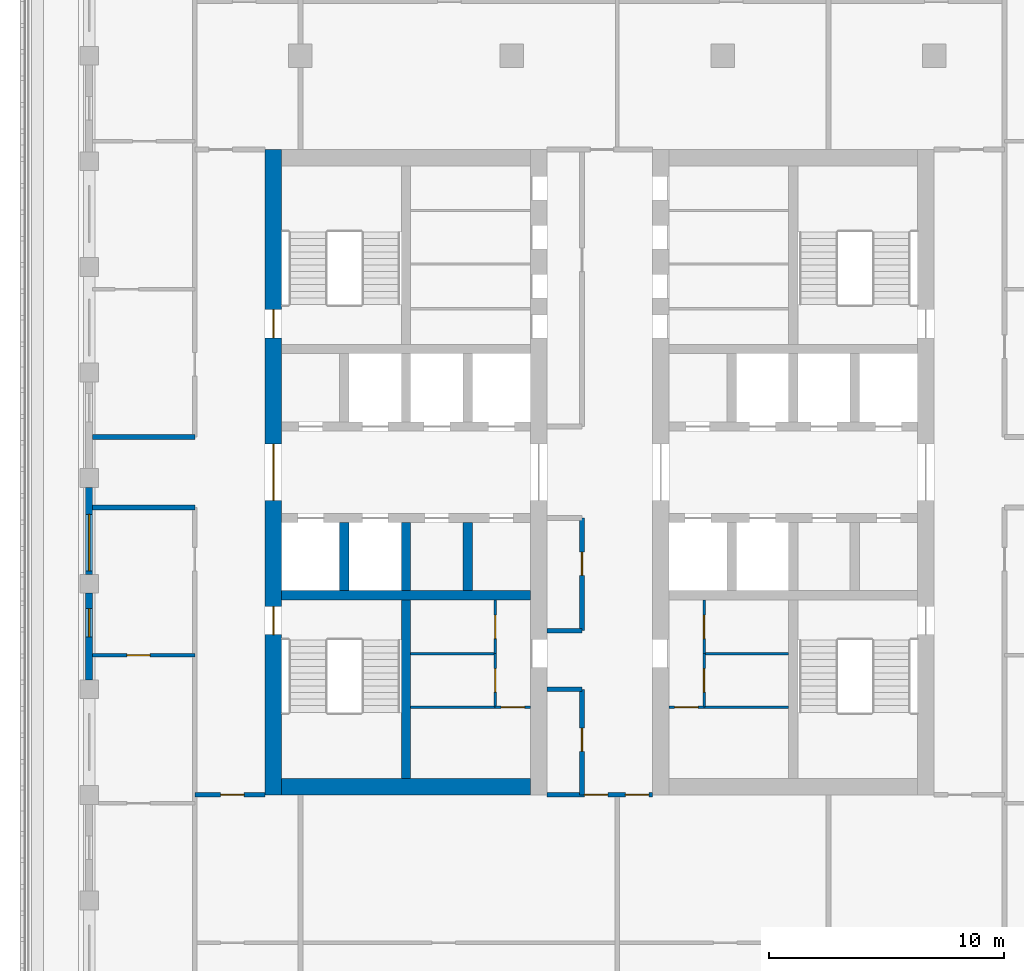
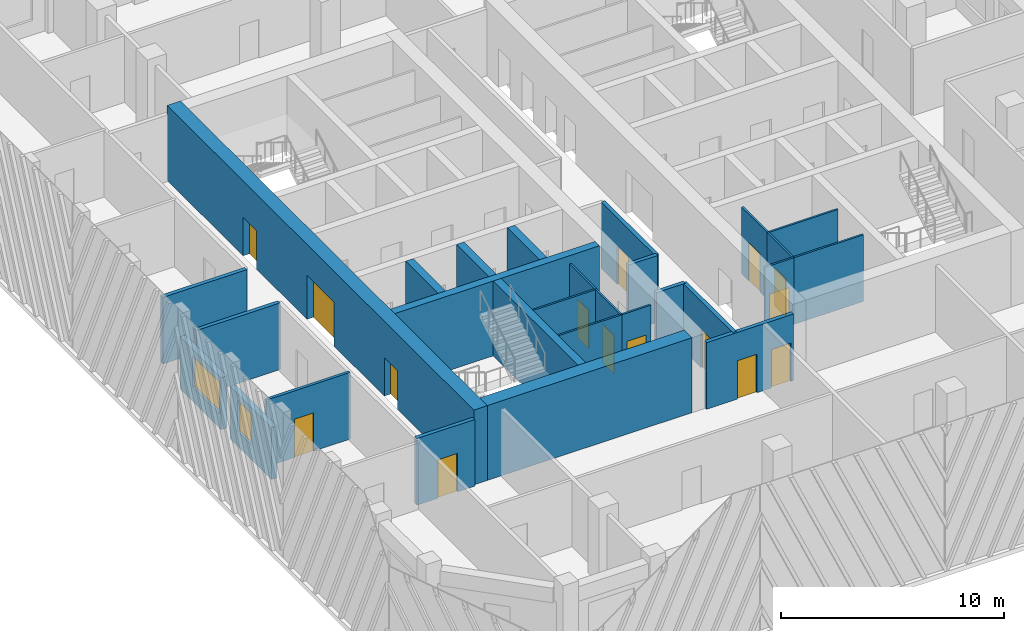
# One storey, part 3 of 17: 28 walls, 15 doors, 2 windows, 17 openings.
"""IFC4 building model written with IfcOpenShell, lengths in metres."""

from ifc_helpers import new_model, si_unit, direction, frame, frame_2d, origin, place, context, subcontext, project, spatial, rectangle, extrude, material, layer, layer_set, type_object, element, fill, save


model = new_model("IFC4")

# Units and contexts
model_context = context("Model", 3, precision=1e-05, world=origin(), true_north=direction((0.0, 1.0)))
body_context = subcontext(model_context, "Body", "Model", "MODEL_VIEW")
ifc_project = project(units=[si_unit("LENGTHUNIT", "METRE"), si_unit("AREAUNIT", "SQUARE_METRE"), si_unit("VOLUMEUNIT", "CUBIC_METRE"), si_unit("PLANEANGLEUNIT", "RADIAN"), si_unit("MASSUNIT", "GRAM", prefix="KILO")], contexts=[model_context])

# Site, building, storey
site_placement = place(None, origin())
site = spatial("IfcSite", under=ifc_project, at=site_placement, CompositionType="ELEMENT")
building_placement = place(site_placement, origin())
building = spatial("IfcBuilding", under=site, at=building_placement, Name="Corbel Stack Research Tower", CompositionType="ELEMENT")
storey_placement = place(building_placement, frame((0.0, 0.0, 239.800048828125)))
storey = spatial("IfcBuildingStorey", under=building, at=storey_placement, Name="L54", CompositionType="ELEMENT", Elevation=239.800048828125)

# Walls
ifc_material_1 = material(Name="Concrete C60/75", Category="concrete")
ifc_layer_1 = layer(ifc_material_1, 0.39990234375)
ifc_layer_set_1 = layer_set([ifc_layer_1], Name="Concrete C60/75")
wall_type_1 = type_object("IfcWallType", Name="CW-400-60", PredefinedType="SHEAR", material=ifc_layer_set_1)
wall_1_placement = place(storey_placement, frame((-9.800048828125, -0.5, 0.0), z_axis=(0.0, 0.0, 1.0), x_axis=(1.0, 0.0, 0.0)))
element("IfcWall", 1, at=wall_1_placement, inside=storey, type_object=wall_type_1, Name="West core wall, south row back L54", PredefinedType="SHEAR", context=body_context, shape_type="SweptSolid", body=[
    extrude(rectangle(XDim=10.60009765625, YDim=0.39990234375, at=frame_2d((5.300048828125, 0.0))), origin(), (0.0, 0.0, 1.0), 4.099853515625),
])
for number, where, z_axis, x_axis, name in (
    (2, (-7.125, -0.300048828125, 0.0), (0.0, 0.0, 1.0), (0.0, 1.0, 0.0), "West core wall, south shaft 1 L54"),
    (3, (-4.5, -0.300048828125, 0.0), (0.0, 0.0, 1.0), (0.0, 1.0, 0.0), "West core wall, south shaft 2 L54"),
    (4, (-1.875, -0.300048828125, 0.0), (0.0, 0.0, 1.0), (0.0, 1.0, 0.0), "West core wall, south shaft 3 L54"),
):
    element("IfcWall", number, at=place(storey_placement, frame(where, z_axis=z_axis, x_axis=x_axis)), inside=storey, type_object=wall_type_1, Name=name, PredefinedType="SHEAR", context=body_context, shape_type="SweptSolid", body=[
        extrude(rectangle(XDim=2.900146484375, YDim=0.39990234375, at=frame_2d((1.4501953125, 0.0))), origin(), (0.0, 0.0, 1.0), 4.099853515625),
    ])
wall_2_placement = place(storey_placement, frame((-4.5, -8.300048828125, 0.0), z_axis=(0.0, 0.0, 1.0), x_axis=(0.0, 1.0, 0.0)))
element("IfcWall", 5, at=wall_2_placement, inside=storey, type_object=wall_type_1, Name="West core wall, south stair and WC L54", PredefinedType="SHEAR", context=body_context, shape_type="SweptSolid", body=[
    extrude(rectangle(XDim=7.60009765625, YDim=0.39990234375, at=frame_2d((3.800048828125, 0.0))), origin(), (0.0, 0.0, 1.0), 4.099853515625),
])

# Wall, openings, doors
ifc_material_2 = material(Name="Concrete C60/75", Category="concrete")
ifc_layer_2 = layer(ifc_material_2, 0.699951171875)
ifc_layer_set_2 = layer_set([ifc_layer_2], Name="Concrete C60/75")
wall_type_2 = type_object("IfcWallType", Name="CW-700-60", PredefinedType="SHEAR", material=ifc_layer_set_2)
wall_3_placement = place(storey_placement, frame((-10.14990234375, -9.0, 0.0), z_axis=(0.0, 0.0, 1.0), x_axis=(0.0, 1.0, 0.0)))
wall_3 = element("IfcWall", 6, at=wall_3_placement, inside=storey, type_object=wall_type_2, Name="West core wall, west face L54", PredefinedType="SHEAR", context=body_context, shape_type="SweptSolid", body=[
    extrude(rectangle(XDim=27.5, YDim=0.699951171875, at=frame_2d((13.75, 0.0))), origin(), (0.0, 0.0, 1.0), 4.099853515625),
])
opening_1_placement = place(wall_3_placement, frame((12.550048828125, 0.0, 0.0)))
opening_1 = element("IfcOpeningElement", 7, at=opening_1_placement, cuts=wall_3, Name="Opening CD-W-W", PredefinedType="OPENING", context=body_context, shape_type="SweptSolid", body=[
    extrude(rectangle(XDim=2.39990234375, YDim=2.39990234375, at=frame_2d((1.199951171875, 1.199951171875))), frame((0.0, 0.35986328125, 0.0), z_axis=(0.0, -1.0, 0.0), x_axis=(1.0, 0.0, 0.0)), (0.0, 0.0, 1.0), 0.719970703125),
])
opening_2_placement = place(wall_3_placement, frame((6.824951171875, 0.0, 0.0)))
opening_2 = element("IfcOpeningElement", 8, at=opening_2_placement, cuts=wall_3, Name="Opening SD-ST-W1", PredefinedType="OPENING", context=body_context, shape_type="SweptSolid", body=[
    extrude(rectangle(XDim=1.199951171875, YDim=2.10009765625, at=frame_2d((0.60009765625, 1.050048828125))), frame((0.0, 0.35986328125, 0.0), z_axis=(0.0, -1.0, 0.0), x_axis=(1.0, 0.0, 0.0)), (0.0, 0.0, 1.0), 0.719970703125),
])
opening_3_placement = place(wall_3_placement, frame((19.47509765625, 0.0, 0.0)))
opening_3 = element("IfcOpeningElement", 9, at=opening_3_placement, cuts=wall_3, Name="Opening SD-ST-W2", PredefinedType="OPENING", context=body_context, shape_type="SweptSolid", body=[
    extrude(rectangle(XDim=1.199951171875, YDim=2.10009765625, at=frame_2d((0.60009765625, 1.050048828125))), frame((0.0, 0.35986328125, 0.0), z_axis=(0.0, -1.0, 0.0), x_axis=(1.0, 0.0, 0.0)), (0.0, 0.0, 1.0), 0.719970703125),
])
ifc_material_3 = material(Name="Painted steel fire door", Category="steel")
door_type_1 = type_object("IfcDoorType", Name="Lobby door pair 2400 x 2400 FD30S", OperationType="DOUBLE_DOOR_DOUBLE_SWING", PredefinedType="DOOR", material=ifc_material_3)
door_1_placement = place(opening_1_placement, origin())
door_1 = element("IfcDoor", 10, at=door_1_placement, inside=storey, type_object=door_type_1, Name="Lift lobby door W core W", OperationType="DOUBLE_DOOR_DOUBLE_SWING", OverallHeight=2.39990234375, OverallWidth=2.39990234375, PredefinedType="DOOR", context=body_context, shape_type="SweptSolid", body=[
    extrude(rectangle(XDim=2.39990234375, YDim=2.39990234375, at=frame_2d((1.199951171875, 1.199951171875))), frame((0.0, 0.02490234375, 0.0), z_axis=(0.0, -1.0, 0.0), x_axis=(1.0, 0.0, 0.0)), (0.0, 0.0, 1.0), 0.050048828125),
])
fill(opening_1, door_1)
ifc_material_4 = material(Name="Painted steel fire door", Category="steel")
door_type_2 = type_object("IfcDoorType", Name="Stair door 1200 x 2100 FD90 left hand", OperationType="SINGLE_SWING_LEFT", PredefinedType="DOOR", material=ifc_material_4)
door_2_placement = place(opening_2_placement, origin())
door_2 = element("IfcDoor", 11, at=door_2_placement, inside=storey, type_object=door_type_2, Name="Stair door ST-W1", OperationType="SINGLE_SWING_LEFT", OverallHeight=2.10009765625, OverallWidth=1.199951171875, PredefinedType="DOOR", context=body_context, shape_type="SweptSolid", body=[
    extrude(rectangle(XDim=1.199951171875, YDim=2.10009765625, at=frame_2d((0.60009765625, 1.050048828125))), frame((0.0, 0.02490234375, 0.0), z_axis=(0.0, -1.0, 0.0), x_axis=(1.0, 0.0, 0.0)), (0.0, 0.0, 1.0), 0.050048828125),
])
fill(opening_2, door_2)
door_3_placement = place(opening_3_placement, origin())
door_3 = element("IfcDoor", 12, at=door_3_placement, inside=storey, type_object=door_type_2, Name="Stair door ST-W2", OperationType="SINGLE_SWING_LEFT", OverallHeight=2.10009765625, OverallWidth=1.199951171875, PredefinedType="DOOR", context=body_context, shape_type="SweptSolid", body=[
    extrude(rectangle(XDim=1.199951171875, YDim=2.10009765625, at=frame_2d((0.60009765625, 1.050048828125))), frame((0.0, 0.02490234375, 0.0), z_axis=(0.0, -1.0, 0.0), x_axis=(1.0, 0.0, 0.0)), (0.0, 0.0, 1.0), 0.050048828125),
])
fill(opening_3, door_3)

# Wall
wall_4_placement = place(storey_placement, frame((-9.800048828125, -8.64990234375, 0.0), z_axis=(0.0, 0.0, 1.0), x_axis=(1.0, 0.0, 0.0)))
element("IfcWall", 13, at=wall_4_placement, inside=storey, type_object=wall_type_2, Name="West core wall, south end L54", PredefinedType="SHEAR", context=body_context, shape_type="SweptSolid", body=[
    extrude(rectangle(XDim=10.60009765625, YDim=0.699951171875, at=frame_2d((5.300048828125, 0.0))), origin(), (0.0, 0.0, 1.0), 4.099853515625),
])

# Wall, opening, door
ifc_material_5 = material(Name="Gypsum board")
ifc_layer_3 = layer(ifc_material_5, 0.10009765625)
ifc_layer_set_3 = layer_set([ifc_layer_3], Name="Gypsum board")
wall_type_3 = type_object("IfcWallType", Name="Core partition 100", PredefinedType="PARTITIONING", material=ifc_layer_set_3)
wall_5_placement = place(storey_placement, frame((-0.699951171875, -5.260009765625, 0.0), z_axis=(0.0, 0.0, 1.0), x_axis=(1.0, 0.0, 0.0)))
wall_5 = element("IfcWall", 14, at=wall_5_placement, inside=storey, type_object=wall_type_3, Name="Core partition W", PredefinedType="PARTITIONING", context=body_context, shape_type="SweptSolid", body=[
    extrude(rectangle(XDim=1.5, YDim=0.10009765625, at=frame_2d((0.75, 0.0))), origin(), (0.0, 0.0, 1.0), 3.64990234375),
])
opening_4_placement = place(wall_5_placement, frame((0.25, 0.0, 0.0)))
opening_4 = element("IfcOpeningElement", 15, at=opening_4_placement, cuts=wall_5, Name="Opening CR-W66-W2-1000", PredefinedType="OPENING", context=body_context, shape_type="SweptSolid", body=[
    extrude(rectangle(XDim=1.0, YDim=2.10009765625, at=frame_2d((0.5, 1.050048828125))), frame((0.0, 0.06005859375, 0.0), z_axis=(0.0, -1.0, 0.0), x_axis=(1.0, 0.0, 0.0)), (0.0, 0.0, 1.0), 0.1201171875),
])
ifc_material_6 = material(Name="Painted timber door", Category="wood")
door_type_3 = type_object("IfcDoorType", Name="WC door 1000 x 2100 right hand", OperationType="SINGLE_SWING_RIGHT", PredefinedType="DOOR", material=ifc_material_6)
door_4_placement = place(opening_4_placement, origin())
door_4 = element("IfcDoor", 16, at=door_4_placement, inside=storey, type_object=door_type_3, Name="Accessible WC door W core", OperationType="SINGLE_SWING_RIGHT", OverallHeight=2.10009765625, OverallWidth=1.0, PredefinedType="DOOR", context=body_context, shape_type="SweptSolid", body=[
    extrude(rectangle(XDim=1.0, YDim=2.10009765625, at=frame_2d((0.5, 1.050048828125))), frame((0.0, 0.02490234375, 0.0), z_axis=(0.0, -1.0, 0.0), x_axis=(1.0, 0.0, 0.0)), (0.0, 0.0, 1.0), 0.050048828125),
])
fill(opening_4, door_4)

wall_6_placement = place(storey_placement, frame((-0.699951171875, -5.260009765625, 0.0), z_axis=(0.0, 0.0, 1.0), x_axis=(0.0, 1.0, 0.0)))
wall_6 = element("IfcWall", 17, at=wall_6_placement, inside=storey, type_object=wall_type_3, Name="Core partition W", PredefinedType="PARTITIONING", context=body_context, shape_type="SweptSolid", body=[
    extrude(rectangle(XDim=2.280029296875, YDim=0.10009765625, at=frame_2d((1.14013671875, 0.0))), origin(), (0.0, 0.0, 1.0), 3.64990234375),
])
opening_5_placement = place(wall_6_placement, frame((0.639892578125, 0.0, 0.0)))
opening_5 = element("IfcOpeningElement", 18, at=opening_5_placement, cuts=wall_6, Name="Opening CR-W66-W3-1000", PredefinedType="OPENING", context=body_context, shape_type="SweptSolid", body=[
    extrude(rectangle(XDim=1.0, YDim=2.10009765625, at=frame_2d((0.5, 1.050048828125))), frame((0.0, 0.06005859375, 0.0), z_axis=(0.0, -1.0, 0.0), x_axis=(1.0, 0.0, 0.0)), (0.0, 0.0, 1.0), 0.1201171875),
])
ifc_material_7 = material(Name="Painted timber door", Category="wood")
door_type_4 = type_object("IfcDoorType", Name="WC door 1000 x 2100 left hand", OperationType="SINGLE_SWING_LEFT", PredefinedType="DOOR", material=ifc_material_7)
door_5_placement = place(opening_5_placement, origin())
door_5 = element("IfcDoor", 19, at=door_5_placement, inside=storey, type_object=door_type_4, Name="Men's WC door W core", OperationType="SINGLE_SWING_LEFT", OverallHeight=2.10009765625, OverallWidth=1.0, PredefinedType="DOOR", context=body_context, shape_type="SweptSolid", body=[
    extrude(rectangle(XDim=1.0, YDim=2.10009765625, at=frame_2d((0.5, 1.050048828125))), frame((0.0, 0.02490234375, 0.0), z_axis=(0.0, -1.0, 0.0), x_axis=(1.0, 0.0, 0.0)), (0.0, 0.0, 1.0), 0.050048828125),
])
fill(opening_5, door_5)

wall_7_placement = place(storey_placement, frame((-0.699951171875, -2.97998046875, 0.0), z_axis=(0.0, 0.0, 1.0), x_axis=(0.0, 1.0, 0.0)))
wall_7 = element("IfcWall", 20, at=wall_7_placement, inside=storey, type_object=wall_type_3, Name="Core partition W", PredefinedType="PARTITIONING", context=body_context, shape_type="SweptSolid", body=[
    extrude(rectangle(XDim=2.280029296875, YDim=0.10009765625, at=frame_2d((1.14013671875, 0.0))), origin(), (0.0, 0.0, 1.0), 3.64990234375),
])
opening_6_placement = place(wall_7_placement, frame((0.639892578125, 0.0, 0.0)))
opening_6 = element("IfcOpeningElement", 21, at=opening_6_placement, cuts=wall_7, Name="Opening CR-W66-W4-1000", PredefinedType="OPENING", context=body_context, shape_type="SweptSolid", body=[
    extrude(rectangle(XDim=1.0, YDim=2.10009765625, at=frame_2d((0.5, 1.050048828125))), frame((0.0, 0.06005859375, 0.0), z_axis=(0.0, -1.0, 0.0), x_axis=(1.0, 0.0, 0.0)), (0.0, 0.0, 1.0), 0.1201171875),
])
door_6_placement = place(opening_6_placement, origin())
door_6 = element("IfcDoor", 22, at=door_6_placement, inside=storey, type_object=door_type_3, Name="Women's WC door W core", OperationType="SINGLE_SWING_RIGHT", OverallHeight=2.10009765625, OverallWidth=1.0, PredefinedType="DOOR", context=body_context, shape_type="SweptSolid", body=[
    extrude(rectangle(XDim=1.0, YDim=2.10009765625, at=frame_2d((0.5, 1.050048828125))), frame((0.0, 0.02490234375, 0.0), z_axis=(0.0, -1.0, 0.0), x_axis=(1.0, 0.0, 0.0)), (0.0, 0.0, 1.0), 0.050048828125),
])
fill(opening_6, door_6)

# Walls
for number, where, z_axis, x_axis, name in (
    (23, (-4.300048828125, -5.260009765625, 0.0), (0.0, 0.0, 1.0), (1.0, 0.0, 0.0), "Core partition W"),
    (24, (-4.300048828125, -2.97998046875, 0.0), (0.0, 0.0, 1.0), (1.0, 0.0, 0.0), "Core partition W"),
):
    element("IfcWall", number, at=place(storey_placement, frame(where, z_axis=z_axis, x_axis=x_axis)), inside=storey, type_object=wall_type_3, Name=name, PredefinedType="PARTITIONING", context=body_context, shape_type="SweptSolid", body=[
        extrude(rectangle(XDim=3.60009765625, YDim=0.10009765625, at=frame_2d((1.800048828125, 0.0))), origin(), (0.0, 0.0, 1.0), 3.64990234375),
    ])

# Wall, opening, door
wall_8_placement = place(storey_placement, frame((6.699951171875, -5.260009765625, 0.0), z_axis=(0.0, 0.0, 1.0), x_axis=(1.0, 0.0, 0.0)))
wall_8 = element("IfcWall", 25, at=wall_8_placement, inside=storey, type_object=wall_type_3, Name="Core partition E", PredefinedType="PARTITIONING", context=body_context, shape_type="SweptSolid", body=[
    extrude(rectangle(XDim=1.5, YDim=0.10009765625, at=frame_2d((0.75, 0.0))), origin(), (0.0, 0.0, 1.0), 3.64990234375),
])
opening_7_placement = place(wall_8_placement, frame((0.25, 0.0, 0.0)))
opening_7 = element("IfcOpeningElement", 26, at=opening_7_placement, cuts=wall_8, Name="Opening CR-E66-W2-1000", PredefinedType="OPENING", context=body_context, shape_type="SweptSolid", body=[
    extrude(rectangle(XDim=1.0, YDim=2.10009765625, at=frame_2d((0.5, 1.050048828125))), frame((0.0, 0.06005859375, 0.0), z_axis=(0.0, -1.0, 0.0), x_axis=(1.0, 0.0, 0.0)), (0.0, 0.0, 1.0), 0.1201171875),
])
door_7_placement = place(opening_7_placement, origin())
door_7 = element("IfcDoor", 27, at=door_7_placement, inside=storey, type_object=door_type_4, Name="Accessible WC door E core", OperationType="SINGLE_SWING_LEFT", OverallHeight=2.10009765625, OverallWidth=1.0, PredefinedType="DOOR", context=body_context, shape_type="SweptSolid", body=[
    extrude(rectangle(XDim=1.0, YDim=2.10009765625, at=frame_2d((0.5, 1.050048828125))), frame((0.0, 0.02490234375, 0.0), z_axis=(0.0, -1.0, 0.0), x_axis=(1.0, 0.0, 0.0)), (0.0, 0.0, 1.0), 0.050048828125),
])
fill(opening_7, door_7)

wall_9_placement = place(storey_placement, frame((8.199951171875, -5.260009765625, 0.0), z_axis=(0.0, 0.0, 1.0), x_axis=(0.0, 1.0, 0.0)))
wall_9 = element("IfcWall", 28, at=wall_9_placement, inside=storey, type_object=wall_type_3, Name="Core partition E", PredefinedType="PARTITIONING", context=body_context, shape_type="SweptSolid", body=[
    extrude(rectangle(XDim=2.280029296875, YDim=0.10009765625, at=frame_2d((1.14013671875, 0.0))), origin(), (0.0, 0.0, 1.0), 3.64990234375),
])
opening_8_placement = place(wall_9_placement, frame((0.639892578125, 0.0, 0.0)))
opening_8 = element("IfcOpeningElement", 29, at=opening_8_placement, cuts=wall_9, Name="Opening CR-E66-W3-1000", PredefinedType="OPENING", context=body_context, shape_type="SweptSolid", body=[
    extrude(rectangle(XDim=1.0, YDim=2.10009765625, at=frame_2d((0.5, 1.050048828125))), frame((0.0, 0.06005859375, 0.0), z_axis=(0.0, -1.0, 0.0), x_axis=(1.0, 0.0, 0.0)), (0.0, 0.0, 1.0), 0.1201171875),
])
door_8_placement = place(opening_8_placement, origin())
door_8 = element("IfcDoor", 30, at=door_8_placement, inside=storey, type_object=door_type_3, Name="Men's WC door E core", OperationType="SINGLE_SWING_RIGHT", OverallHeight=2.10009765625, OverallWidth=1.0, PredefinedType="DOOR", context=body_context, shape_type="SweptSolid", body=[
    extrude(rectangle(XDim=1.0, YDim=2.10009765625, at=frame_2d((0.5, 1.050048828125))), frame((0.0, 0.02490234375, 0.0), z_axis=(0.0, -1.0, 0.0), x_axis=(1.0, 0.0, 0.0)), (0.0, 0.0, 1.0), 0.050048828125),
])
fill(opening_8, door_8)

wall_10_placement = place(storey_placement, frame((8.199951171875, -2.97998046875, 0.0), z_axis=(0.0, 0.0, 1.0), x_axis=(0.0, 1.0, 0.0)))
wall_10 = element("IfcWall", 31, at=wall_10_placement, inside=storey, type_object=wall_type_3, Name="Core partition E", PredefinedType="PARTITIONING", context=body_context, shape_type="SweptSolid", body=[
    extrude(rectangle(XDim=2.280029296875, YDim=0.10009765625, at=frame_2d((1.14013671875, 0.0))), origin(), (0.0, 0.0, 1.0), 3.64990234375),
])
opening_9_placement = place(wall_10_placement, frame((0.639892578125, 0.0, 0.0)))
opening_9 = element("IfcOpeningElement", 32, at=opening_9_placement, cuts=wall_10, Name="Opening CR-E66-W4-1000", PredefinedType="OPENING", context=body_context, shape_type="SweptSolid", body=[
    extrude(rectangle(XDim=1.0, YDim=2.10009765625, at=frame_2d((0.5, 1.050048828125))), frame((0.0, 0.06005859375, 0.0), z_axis=(0.0, -1.0, 0.0), x_axis=(1.0, 0.0, 0.0)), (0.0, 0.0, 1.0), 0.1201171875),
])
door_9_placement = place(opening_9_placement, origin())
door_9 = element("IfcDoor", 33, at=door_9_placement, inside=storey, type_object=door_type_4, Name="Women's WC door E core", OperationType="SINGLE_SWING_LEFT", OverallHeight=2.10009765625, OverallWidth=1.0, PredefinedType="DOOR", context=body_context, shape_type="SweptSolid", body=[
    extrude(rectangle(XDim=1.0, YDim=2.10009765625, at=frame_2d((0.5, 1.050048828125))), frame((0.0, 0.02490234375, 0.0), z_axis=(0.0, -1.0, 0.0), x_axis=(1.0, 0.0, 0.0)), (0.0, 0.0, 1.0), 0.050048828125),
])
fill(opening_9, door_9)

# Walls
for number, where, z_axis, x_axis, name in (
    (34, (8.199951171875, -5.260009765625, 0.0), (0.0, 0.0, 1.0), (1.0, 0.0, 0.0), "Core partition E"),
    (35, (8.199951171875, -2.97998046875, 0.0), (0.0, 0.0, 1.0), (1.0, 0.0, 0.0), "Core partition E"),
):
    element("IfcWall", number, at=place(storey_placement, frame(where, z_axis=z_axis, x_axis=x_axis)), inside=storey, type_object=wall_type_3, Name=name, PredefinedType="PARTITIONING", context=body_context, shape_type="SweptSolid", body=[
        extrude(rectangle(XDim=3.60009765625, YDim=0.10009765625, at=frame_2d((1.800048828125, 0.0))), origin(), (0.0, 0.0, 1.0), 3.64990234375),
    ])

# Wall, opening, door
ifc_material_8 = material(Name="Fire-rated gypsum board partition on steel studs", Category="steel")
ifc_layer_4 = layer(ifc_material_8, 0.199951171875)
ifc_layer_set_4 = layer_set([ifc_layer_4], Name="Fire-rated gypsum board partition on steel studs")
wall_type_4 = type_object("IfcWallType", Name="Fire-rated partition 200 EI 60", PredefinedType="PARTITIONING", material=ifc_layer_set_4)
wall_11_placement = place(storey_placement, frame((3.0, -9.0, 0.0), z_axis=(0.0, 0.0, 1.0), x_axis=(0.0, 1.0, 0.0)))
wall_11 = element("IfcWall", 36, at=wall_11_placement, inside=storey, type_object=wall_type_4, Name="Partition L54-008", PredefinedType="PARTITIONING", context=body_context, shape_type="SweptSolid", body=[
    extrude(rectangle(XDim=4.5, YDim=0.199951171875, at=frame_2d((2.25, 0.0))), origin(), (0.0, 0.0, 1.0), 3.64990234375),
])
opening_10_placement = place(wall_11_placement, frame((1.85009765625, 0.0, 0.0)))
opening_10 = element("IfcOpeningElement", 37, at=opening_10_placement, cuts=wall_11, Name="Opening B7V0-015", PredefinedType="OPENING", context=body_context, shape_type="SweptSolid", body=[
    extrude(rectangle(XDim=1.0, YDim=2.10009765625, at=frame_2d((0.5, 1.050048828125))), frame((0.0, 0.10986328125, 0.0), z_axis=(0.0, -1.0, 0.0), x_axis=(1.0, 0.0, 0.0)), (0.0, 0.0, 1.0), 0.219970703125),
])
ifc_material_9 = material(Name="Painted steel fire door", Category="steel")
door_type_5 = type_object("IfcDoorType", Name="Fire door FD30S 1000 x 2100", OperationType="NOTDEFINED", PredefinedType="DOOR", material=ifc_material_9)
door_10_placement = place(opening_10_placement, origin())
door_10 = element("IfcDoor", 38, at=door_10_placement, inside=storey, type_object=door_type_5, Name="Door B7V0-015", OperationType="SINGLE_SWING_RIGHT", OverallHeight=2.10009765625, OverallWidth=1.0, PredefinedType="DOOR", context=body_context, shape_type="SweptSolid", body=[
    extrude(rectangle(XDim=1.0, YDim=2.10009765625, at=frame_2d((0.5, 1.050048828125))), frame((0.0, 0.02490234375, 0.0), z_axis=(0.0, -1.0, 0.0), x_axis=(1.0, 0.0, 0.0)), (0.0, 0.0, 1.0), 0.050048828125),
])
fill(opening_10, door_10)

wall_12_placement = place(storey_placement, frame((3.0, -2.0, 0.0), z_axis=(0.0, 0.0, 1.0), x_axis=(0.0, 1.0, 0.0)))
wall_12 = element("IfcWall", 39, at=wall_12_placement, inside=storey, type_object=wall_type_4, Name="Partition L54-009", PredefinedType="PARTITIONING", context=body_context, shape_type="SweptSolid", body=[
    extrude(rectangle(XDim=4.800048828125, YDim=0.199951171875, at=frame_2d((2.39990234375, 0.0))), origin(), (0.0, 0.0, 1.0), 3.64990234375),
])
opening_11_placement = place(wall_12_placement, frame((2.35009765625, 0.0, 0.0)))
opening_11 = element("IfcOpeningElement", 40, at=opening_11_placement, cuts=wall_12, Name="Opening B7V0-016", PredefinedType="OPENING", context=body_context, shape_type="SweptSolid", body=[
    extrude(rectangle(XDim=1.0, YDim=2.10009765625, at=frame_2d((0.5, 1.050048828125))), frame((0.0, 0.10986328125, 0.0), z_axis=(0.0, -1.0, 0.0), x_axis=(1.0, 0.0, 0.0)), (0.0, 0.0, 1.0), 0.219970703125),
])
door_11_placement = place(opening_11_placement, origin())
door_11 = element("IfcDoor", 41, at=door_11_placement, inside=storey, type_object=door_type_5, Name="Door B7V0-016", OperationType="SINGLE_SWING_RIGHT", OverallHeight=2.10009765625, OverallWidth=1.0, PredefinedType="DOOR", context=body_context, shape_type="SweptSolid", body=[
    extrude(rectangle(XDim=1.0, YDim=2.10009765625, at=frame_2d((0.5, 1.050048828125))), frame((0.0, 0.02490234375, 0.0), z_axis=(0.0, -1.0, 0.0), x_axis=(1.0, 0.0, 0.0)), (0.0, 0.0, 1.0), 0.050048828125),
])
fill(opening_11, door_11)

wall_13_placement = place(storey_placement, frame((-10.5, -9.0, 0.0), z_axis=(0.0, 0.0, 1.0), x_axis=(-1.0, 0.0, 0.0)))
wall_13 = element("IfcWall", 42, at=wall_13_placement, inside=storey, type_object=wall_type_4, Name="Partition L54-021", PredefinedType="PARTITIONING", context=body_context, shape_type="SweptSolid", body=[
    extrude(rectangle(XDim=3.0, YDim=0.199951171875, at=frame_2d((1.5, 0.0))), origin(), (0.0, 0.0, 1.0), 3.64990234375),
])
opening_12_placement = place(wall_13_placement, frame((0.89990234375, 0.0, 0.0)))
opening_12 = element("IfcOpeningElement", 43, at=opening_12_placement, cuts=wall_13, Name="Opening B7V0-009", PredefinedType="OPENING", context=body_context, shape_type="SweptSolid", body=[
    extrude(rectangle(XDim=1.0, YDim=2.10009765625, at=frame_2d((0.5, 1.050048828125))), frame((0.0, 0.10986328125, 0.0), z_axis=(0.0, -1.0, 0.0), x_axis=(1.0, 0.0, 0.0)), (0.0, 0.0, 1.0), 0.219970703125),
])
door_12_placement = place(opening_12_placement, origin())
door_12 = element("IfcDoor", 44, at=door_12_placement, inside=storey, type_object=door_type_5, Name="Door B7V0-009", OperationType="SINGLE_SWING_LEFT", OverallHeight=2.10009765625, OverallWidth=1.0, PredefinedType="DOOR", context=body_context, shape_type="SweptSolid", body=[
    extrude(rectangle(XDim=1.0, YDim=2.10009765625, at=frame_2d((0.5, 1.050048828125))), frame((0.0, 0.02490234375, 0.0), z_axis=(0.0, -1.0, 0.0), x_axis=(1.0, 0.0, 0.0)), (0.0, 0.0, 1.0), 0.050048828125),
])
fill(opening_12, door_12)

# Wall, openings, doors
wall_14_placement = place(storey_placement, frame((6.0, -9.0, 0.0), z_axis=(0.0, 0.0, 1.0), x_axis=(-1.0, 0.0, 0.0)))
wall_14 = element("IfcWall", 45, at=wall_14_placement, inside=storey, type_object=wall_type_4, Name="Partition L54-022", PredefinedType="PARTITIONING", context=body_context, shape_type="SweptSolid", body=[
    extrude(rectangle(XDim=4.5, YDim=0.199951171875, at=frame_2d((2.25, 0.0))), origin(), (0.0, 0.0, 1.0), 3.64990234375),
])
opening_13_placement = place(wall_14_placement, frame((1.89990234375, 0.0, 0.0)))
opening_13 = element("IfcOpeningElement", 46, at=opening_13_placement, cuts=wall_14, Name="Opening B7V0-010", PredefinedType="OPENING", context=body_context, shape_type="SweptSolid", body=[
    extrude(rectangle(XDim=1.0, YDim=2.10009765625, at=frame_2d((0.5, 1.050048828125))), frame((0.0, 0.10986328125, 0.0), z_axis=(0.0, -1.0, 0.0), x_axis=(1.0, 0.0, 0.0)), (0.0, 0.0, 1.0), 0.219970703125),
])
opening_14_placement = place(wall_14_placement, frame((0.14990234375, 0.0, 0.0)))
opening_14 = element("IfcOpeningElement", 47, at=opening_14_placement, cuts=wall_14, Name="Opening B7V0-011", PredefinedType="OPENING", context=body_context, shape_type="SweptSolid", body=[
    extrude(rectangle(XDim=1.0, YDim=2.10009765625, at=frame_2d((0.5, 1.050048828125))), frame((0.0, 0.10986328125, 0.0), z_axis=(0.0, -1.0, 0.0), x_axis=(1.0, 0.0, 0.0)), (0.0, 0.0, 1.0), 0.219970703125),
])
door_13_placement = place(opening_13_placement, origin())
door_13 = element("IfcDoor", 48, at=door_13_placement, inside=storey, type_object=door_type_5, Name="Door B7V0-010", OperationType="SINGLE_SWING_RIGHT", OverallHeight=2.10009765625, OverallWidth=1.0, PredefinedType="DOOR", context=body_context, shape_type="SweptSolid", body=[
    extrude(rectangle(XDim=1.0, YDim=2.10009765625, at=frame_2d((0.5, 1.050048828125))), frame((0.0, 0.02490234375, 0.0), z_axis=(0.0, -1.0, 0.0), x_axis=(1.0, 0.0, 0.0)), (0.0, 0.0, 1.0), 0.050048828125),
])
fill(opening_13, door_13)
door_14_placement = place(opening_14_placement, origin())
door_14 = element("IfcDoor", 49, at=door_14_placement, inside=storey, type_object=door_type_5, Name="Door B7V0-011", OperationType="SINGLE_SWING_LEFT", OverallHeight=2.10009765625, OverallWidth=1.0, PredefinedType="DOOR", context=body_context, shape_type="SweptSolid", body=[
    extrude(rectangle(XDim=1.0, YDim=2.10009765625, at=frame_2d((0.5, 1.050048828125))), frame((0.0, 0.02490234375, 0.0), z_axis=(0.0, -1.0, 0.0), x_axis=(1.0, 0.0, 0.0)), (0.0, 0.0, 1.0), 0.050048828125),
])
fill(opening_14, door_14)

# Walls
for number, where, z_axis, x_axis, name in (
    (50, (1.5, -4.5, 0.0), (0.0, 0.0, 1.0), (1.0, 0.0, 0.0), "Partition L54-024"),
    (51, (1.5, -2.0, 0.0), (0.0, 0.0, 1.0), (1.0, 0.0, 0.0), "Partition L54-027"),
):
    element("IfcWall", number, at=place(storey_placement, frame(where, z_axis=z_axis, x_axis=x_axis)), inside=storey, type_object=wall_type_4, Name=name, PredefinedType="PARTITIONING", context=body_context, shape_type="SweptSolid", body=[
        extrude(rectangle(XDim=1.5, YDim=0.199951171875, at=frame_2d((0.75, 0.0))), origin(), (0.0, 0.0, 1.0), 3.64990234375),
    ])
for number, where, z_axis, x_axis, name in (
    (52, (-17.85009765625, 3.25, 0.0), (0.0, 0.0, 1.0), (1.0, 0.0, 0.0), "Partition L54-029"),
    (53, (-17.85009765625, 6.25, 0.0), (0.0, 0.0, 1.0), (1.0, 0.0, 0.0), "Partition L54-031"),
):
    element("IfcWall", number, at=place(storey_placement, frame(where, z_axis=z_axis, x_axis=x_axis)), inside=storey, type_object=wall_type_4, Name=name, PredefinedType="PARTITIONING", context=body_context, shape_type="SweptSolid", body=[
        extrude(rectangle(XDim=4.35009765625, YDim=0.199951171875, at=frame_2d((2.175048828125, 0.0))), origin(), (0.0, 0.0, 1.0), 3.64990234375),
    ])

# Wall, opening, door
ifc_material_10 = material(Name="Gypsum board partition on steel studs", Category="steel")
ifc_layer_5 = layer(ifc_material_10, 0.14990234375)
ifc_layer_set_5 = layer_set([ifc_layer_5], Name="Gypsum board partition on steel studs")
wall_type_5 = type_object("IfcWallType", Name="Partition 150", PredefinedType="PARTITIONING", material=ifc_layer_set_5)
wall_15_placement = place(storey_placement, frame((-13.5, -3.050048828125, 0.0), z_axis=(0.0, 0.0, 1.0), x_axis=(-1.0, 0.0, 0.0)))
wall_15 = element("IfcWall", 54, at=wall_15_placement, inside=storey, type_object=wall_type_5, Name="Partition L54-025", PredefinedType="PARTITIONING", context=body_context, shape_type="SweptSolid", body=[
    extrude(rectangle(XDim=4.35009765625, YDim=0.14990234375, at=frame_2d((2.175048828125, 0.0))), origin(), (0.0, 0.0, 1.0), 3.64990234375),
])
opening_15_placement = place(wall_15_placement, frame((1.89990234375, 0.0, 0.0)))
opening_15 = element("IfcOpeningElement", 55, at=opening_15_placement, cuts=wall_15, Name="Opening B7V0-013", PredefinedType="OPENING", context=body_context, shape_type="SweptSolid", body=[
    extrude(rectangle(XDim=1.0, YDim=2.10009765625, at=frame_2d((0.5, 1.050048828125))), frame((0.0, 0.0849609375, 0.0), z_axis=(0.0, -1.0, 0.0), x_axis=(1.0, 0.0, 0.0)), (0.0, 0.0, 1.0), 0.169921875),
])
ifc_material_11 = material(Name="Painted timber door", Category="wood")
door_type_6 = type_object("IfcDoorType", Name="Single door 1000 x 2100", OperationType="NOTDEFINED", PredefinedType="DOOR", material=ifc_material_11)
door_15_placement = place(opening_15_placement, origin())
door_15 = element("IfcDoor", 56, at=door_15_placement, inside=storey, type_object=door_type_6, Name="Door B7V0-013", OperationType="SINGLE_SWING_RIGHT", OverallHeight=2.10009765625, OverallWidth=1.0, PredefinedType="DOOR", context=body_context, shape_type="SweptSolid", body=[
    extrude(rectangle(XDim=1.0, YDim=2.10009765625, at=frame_2d((0.5, 1.050048828125))), frame((0.0, 0.02490234375, 0.0), z_axis=(0.0, -1.0, 0.0), x_axis=(1.0, 0.0, 0.0)), (0.0, 0.0, 1.0), 0.050048828125),
])
fill(opening_15, door_15)

# Wall, opening, window
ifc_material_12 = material(Name="Concrete C45/55", Category="concrete")
ifc_layer_6 = layer(ifc_material_12, 0.300048828125)
ifc_layer_set_6 = layer_set([ifc_layer_6], Name="Concrete C45/55")
wall_type_6 = type_object("IfcWallType", Name="Terracotta-faced concrete wall 300", PredefinedType="SOLIDWALL", material=ifc_layer_set_6)
wall_16_placement = place(storey_placement, frame((-18.0, 0.39990234375, 0.0), z_axis=(0.0, 0.0, 1.0), x_axis=(0.0, 1.0, 0.0)))
wall_16 = element("IfcWall", 57, at=wall_16_placement, inside=storey, type_object=wall_type_6, Name="Facade wall L54 W06", PredefinedType="SOLIDWALL", context=body_context, shape_type="SweptSolid", body=[
    extrude(rectangle(XDim=3.7001953125, YDim=0.300048828125, at=frame_2d((1.85009765625, 0.0))), origin(), (0.0, 0.0, 1.0), 2.849853515625),
])
opening_16_placement = place(wall_16_placement, frame((0.14990234375, 0.0, 0.800048828125)))
opening_16 = element("IfcOpeningElement", 58, at=opening_16_placement, cuts=wall_16, Name="Opening W1", PredefinedType="OPENING", context=body_context, shape_type="SweptSolid", body=[
    extrude(rectangle(XDim=2.39990234375, YDim=1.699951171875, at=frame_2d((1.199951171875, 0.85009765625))), frame((0.0, 0.159912109375, 0.0), z_axis=(0.0, -1.0, 0.0), x_axis=(1.0, 0.0, 0.0)), (0.0, 0.0, 1.0), 0.320068359375),
])
ifc_material_13 = material(Name="Aluminium frame, clear double glazing", Category="aluminium")
window_type_1 = type_object("IfcWindowType", Name="Window W1 2400 x 1700", PartitioningType="SINGLE_PANEL", PredefinedType="WINDOW", material=ifc_material_13)
window_1_placement = place(opening_16_placement, origin())
window_1 = element("IfcWindow", 59, at=window_1_placement, inside=storey, type_object=window_type_1, Name="Window W1 L54 W06", OverallHeight=1.699951171875, OverallWidth=2.39990234375, PartitioningType="SINGLE_PANEL", PredefinedType="WINDOW", context=body_context, shape_type="SweptSolid", body=[
    extrude(rectangle(XDim=2.39990234375, YDim=1.699951171875, at=frame_2d((1.199951171875, 0.85009765625))), frame((0.0, 0.030029296875, 0.0), z_axis=(0.0, -1.0, 0.0), x_axis=(1.0, 0.0, 0.0)), (0.0, 0.0, 1.0), 0.06005859375),
])
fill(opening_16, window_1)

wall_17_placement = place(storey_placement, frame((-18.0, -4.10009765625, 0.0), z_axis=(0.0, 0.0, 1.0), x_axis=(0.0, 1.0, 0.0)))
wall_17 = element("IfcWall", 60, at=wall_17_placement, inside=storey, type_object=wall_type_6, Name="Facade wall L54 W07", PredefinedType="SOLIDWALL", context=body_context, shape_type="SweptSolid", body=[
    extrude(rectangle(XDim=3.7001953125, YDim=0.300048828125, at=frame_2d((1.85009765625, 0.0))), origin(), (0.0, 0.0, 1.0), 2.849853515625),
])
opening_17_placement = place(wall_17_placement, frame((1.83740234375, 0.0, 0.800048828125)))
opening_17 = element("IfcOpeningElement", 61, at=opening_17_placement, cuts=wall_17, Name="Opening W2", PredefinedType="OPENING", context=body_context, shape_type="SweptSolid", body=[
    extrude(rectangle(XDim=1.199951171875, YDim=1.699951171875, at=frame_2d((0.60009765625, 0.85009765625))), frame((0.0, 0.159912109375, 0.0), z_axis=(0.0, -1.0, 0.0), x_axis=(1.0, 0.0, 0.0)), (0.0, 0.0, 1.0), 0.320068359375),
])
ifc_material_14 = material(Name="Aluminium frame, clear double glazing", Category="aluminium")
window_type_2 = type_object("IfcWindowType", Name="Window W2 1200 x 1700", PartitioningType="SINGLE_PANEL", PredefinedType="WINDOW", material=ifc_material_14)
window_2_placement = place(opening_17_placement, origin())
window_2 = element("IfcWindow", 62, at=window_2_placement, inside=storey, type_object=window_type_2, Name="Window W2 L54 W07", OverallHeight=1.699951171875, OverallWidth=1.199951171875, PartitioningType="SINGLE_PANEL", PredefinedType="WINDOW", context=body_context, shape_type="SweptSolid", body=[
    extrude(rectangle(XDim=1.199951171875, YDim=1.699951171875, at=frame_2d((0.60009765625, 0.85009765625))), frame((0.0, 0.030029296875, 0.0), z_axis=(0.0, -1.0, 0.0), x_axis=(1.0, 0.0, 0.0)), (0.0, 0.0, 1.0), 0.06005859375),
])
fill(opening_17, window_2)

save(model, "model.ifc")
